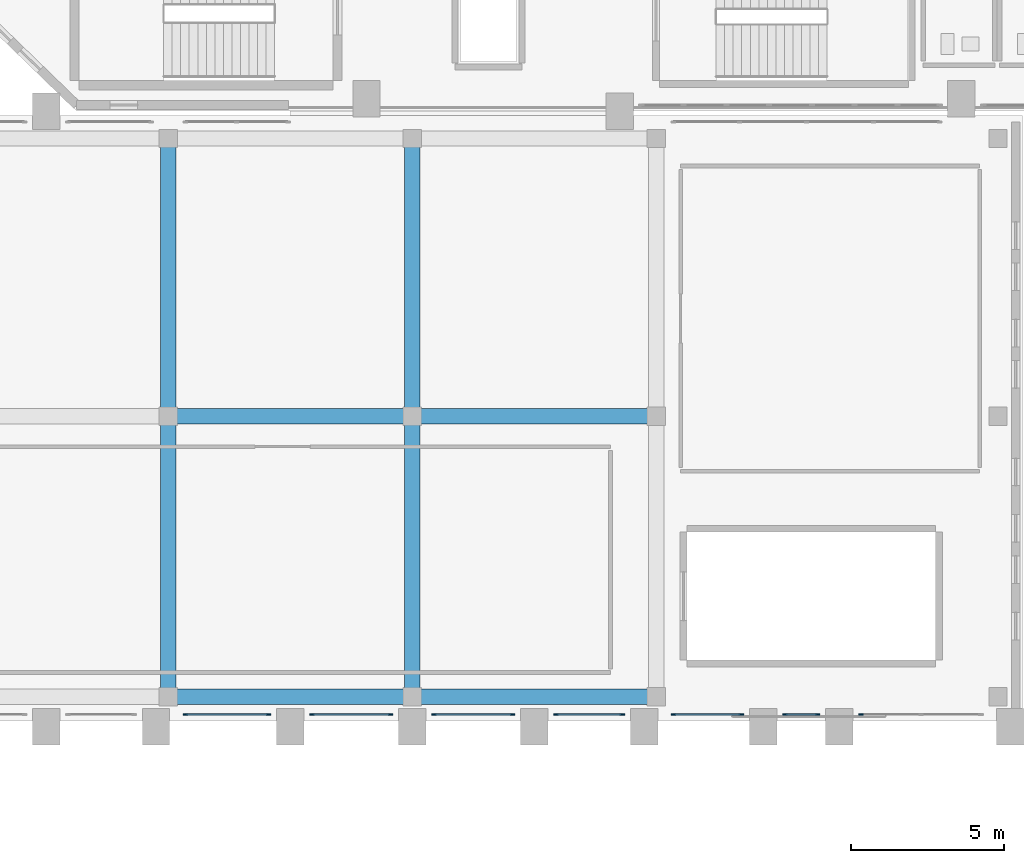
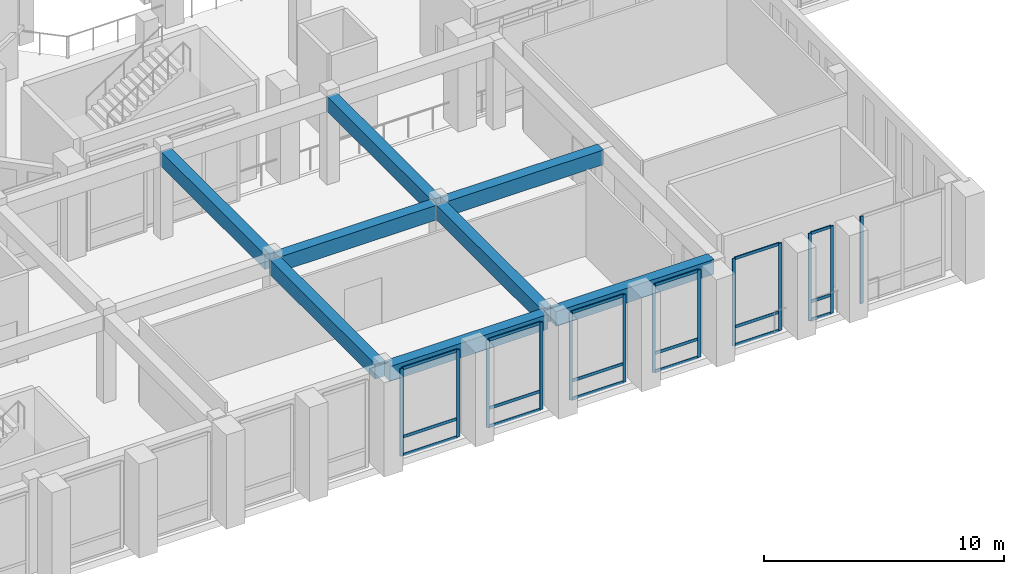
# One storey, part 18 of 126: 31 members, 8 beams, 7 elements without a shape of their own.
"""IFC4 building model written with IfcOpenShell, lengths in metres."""

from ifc_helpers import new_model, si_unit, derived_unit, direction, frame, origin, origin_2d, place, context, subcontext, project, spatial, rectangle, extrude, material, layer, layer_set, material_profile, profile_set, type_object, element, aggregate, save


model = new_model("IFC4")

# Units and contexts
model_context = context("Model", 3, precision=1e-05, world=origin(), true_north=direction((0.0, 1.0)))
body_context = subcontext(model_context, "Body", "Model", "MODEL_VIEW")
ifc_project = project(units=[si_unit("LENGTHUNIT", "METRE"), si_unit("AREAUNIT", "SQUARE_METRE"), si_unit("VOLUMEUNIT", "CUBIC_METRE"), si_unit("PLANEANGLEUNIT", "RADIAN"), si_unit("MASSUNIT", "GRAM", prefix="KILO"), derived_unit("THERMALTRANSMITTANCEUNIT", [(si_unit("MASSUNIT", "GRAM", prefix="KILO"), 1), (si_unit("TIMEUNIT", "SECOND"), -3), (si_unit("THERMODYNAMICTEMPERATUREUNIT", "KELVIN"), -1)])], contexts=[model_context])

# Site, building, storey
site_placement = place(None, origin())
site = spatial("IfcSite", under=ifc_project, at=site_placement, CompositionType="ELEMENT")
building_placement = place(site_placement, origin())
building = spatial("IfcBuilding", under=site, at=building_placement, Name="Valcora Ridge Arena", CompositionType="ELEMENT")
storey_placement = place(building_placement, frame((0.0, 0.0, 11.39990234375)))
storey = spatial("IfcBuildingStorey", under=building, at=storey_placement, Name="L02", CompositionType="ELEMENT", Elevation=11.39990234375)

# Beams
ifc_material_1 = material(Name="Concrete C40/50", Category="concrete")
ifc_material_profile_1 = material_profile(ifc_material_1, rectangle(XDim=0.5, YDim=0.75, at=origin_2d()), Name="RC 500x750")
ifc_profile_set_1 = profile_set([ifc_material_profile_1], Name="Concrete C40/50")
beam_type_1 = type_object("IfcBeamType", Name="TY-BEAM-B-RC500-X", PredefinedType="BEAM", material=ifc_profile_set_1)
for number, where, z_axis, x_axis, name in (
    (1, (32.199951171875, 10.0, 4.0751953125), (1.0, 0.0, 0.0), (0.0, 1.0, 0.0), "B-RC500-X BEM-B-RC500-X-0057"),
    (2, (40.199951171875, 10.0, 4.0751953125), (1.0, 0.0, 0.0), (0.0, 1.0, 0.0), "B-RC500-X BEM-B-RC500-X-0058"),
):
    element("IfcBeam", number, at=place(storey_placement, frame(where, z_axis=z_axis, x_axis=x_axis)), inside=storey, type_object=beam_type_1, Name=name, PredefinedType="BEAM", context=body_context, shape_type="SweptSolid", body=[
        extrude(rectangle(XDim=0.5, YDim=0.75, at=origin_2d()), origin(), (0.0, 0.0, 1.0), 7.60009765625),
    ])
ifc_material_profile_2 = material_profile(ifc_material_1, rectangle(XDim=0.5, YDim=0.75, at=origin_2d()), Name="RC 500x750")
ifc_profile_set_2 = profile_set([ifc_material_profile_2], Name="Concrete C40/50")
beam_type_2 = type_object("IfcBeamType", Name="TY-BEAM-B-RC500-Y", PredefinedType="BEAM", material=ifc_profile_set_2)
beam_1_placement = place(storey_placement, frame((32.0, 1.0, 4.0751953125), z_axis=(0.0, 1.0, 0.0), x_axis=(-1.0, 0.0, 0.0)))
element("IfcBeam", 3, at=beam_1_placement, inside=storey, type_object=beam_type_2, Name="B-RC500-Y BEM-B-RC500-Y-0086", PredefinedType="BEAM", context=body_context, shape_type="SweptSolid", body=[
    extrude(rectangle(XDim=0.5, YDim=0.75, at=origin_2d()), origin(), (0.0, 0.0, 1.0), 8.800048828125),
])
beam_2_placement = place(storey_placement, frame((32.0, 10.199951171875, 4.0751953125), z_axis=(0.0, 1.0, 0.0), x_axis=(-1.0, 0.0, 0.0)))
element("IfcBeam", 4, at=beam_2_placement, inside=storey, type_object=beam_type_2, Name="B-RC500-Y BEM-B-RC500-Y-0087", PredefinedType="BEAM", context=body_context, shape_type="SweptSolid", body=[
    extrude(rectangle(XDim=0.5, YDim=0.75, at=origin_2d()), origin(), (0.0, 0.0, 1.0), 8.699951171875),
])
beam_3_placement = place(storey_placement, frame((40.0, 1.0, 4.0751953125), z_axis=(0.0, 1.0, 0.0), x_axis=(-1.0, 0.0, 0.0)))
element("IfcBeam", 5, at=beam_3_placement, inside=storey, type_object=beam_type_2, Name="B-RC500-Y BEM-B-RC500-Y-0088", PredefinedType="BEAM", context=body_context, shape_type="SweptSolid", body=[
    extrude(rectangle(XDim=0.5, YDim=0.75, at=origin_2d()), origin(), (0.0, 0.0, 1.0), 8.800048828125),
])
beam_4_placement = place(storey_placement, frame((40.0, 10.199951171875, 4.0751953125), z_axis=(0.0, 1.0, 0.0), x_axis=(-1.0, 0.0, 0.0)))
element("IfcBeam", 6, at=beam_4_placement, inside=storey, type_object=beam_type_2, Name="B-RC500-Y BEM-B-RC500-Y-0089", PredefinedType="BEAM", context=body_context, shape_type="SweptSolid", body=[
    extrude(rectangle(XDim=0.5, YDim=0.75, at=origin_2d()), origin(), (0.0, 0.0, 1.0), 8.699951171875),
])
ifc_material_profile_3 = material_profile(ifc_material_1, rectangle(XDim=0.5, YDim=0.75, at=origin_2d()), Name="RC 500x750")
ifc_profile_set_3 = profile_set([ifc_material_profile_3], Name="Concrete C40/50")
beam_type_3 = type_object("IfcBeamType", Name="TY-BEAM-EB-RC500", PredefinedType="BEAM", material=ifc_profile_set_3)
for number, where, z_axis, x_axis, name in (
    (7, (32.199951171875, 0.800048828125, 4.0751953125), (1.0, 0.0, 0.0), (0.0, 1.0, 0.0), "EB-RC500 BEM-EB-RC500-0023"),
    (8, (40.199951171875, 0.800048828125, 4.0751953125), (1.0, 0.0, 0.0), (0.0, 1.0, 0.0), "EB-RC500 BEM-EB-RC500-0024"),
):
    element("IfcBeam", number, at=place(storey_placement, frame(where, z_axis=z_axis, x_axis=x_axis)), inside=storey, type_object=beam_type_3, Name=name, PredefinedType="BEAM", context=body_context, shape_type="SweptSolid", body=[
        extrude(rectangle(XDim=0.5, YDim=0.75, at=origin_2d()), origin(), (0.0, 0.0, 1.0), 7.60009765625),
    ])

# Curtain wall, members
ifc_material_2 = material(Name="Anodised dark bronze architectural aluminium 6063-T6", Category="aluminium")
ifc_layer_1 = layer(ifc_material_2, 0.14990234375, Name="Anodised dark bronze architectural aluminium 6063-T6")
ifc_layer_set_1 = layer_set([ifc_layer_1], Name="Anodised dark bronze architectural aluminium 6063-T6")
curtain_wall_type_1 = type_object("IfcCurtainWallType", Name="TY-CURTAINWALL-CW-V4-CLUB-028X44", PredefinedType="NOTDEFINED", material=ifc_layer_set_1)
curtain_wall_1_placement = place(storey_placement, origin())
curtain_wall_1 = element("IfcCurtainWall", 9, at=curtain_wall_1_placement, inside=storey, type_object=curtain_wall_type_1, Name="CW-V4-CLUB-028X44 CW-0242", PredefinedType="NOTDEFINED")
ifc_material_profile_4 = material_profile(ifc_material_2, rectangle(XDim=0.050048828125, YDim=0.14990234375, at=origin_2d()), Name="ALU MULLION 50x150")
ifc_profile_set_4 = profile_set([ifc_material_profile_4], Name="Anodised dark bronze architectural aluminium 6063-T6")
member_type_1 = type_object("IfcMemberType", Name="TY-MEM-CWM-50x150", PredefinedType="MULLION", material=ifc_profile_set_4)
member_1_placement = place(storey_placement, frame((32.56494140625, 0.219970703125, 0.0), z_axis=(0.0, 0.0, 1.0), x_axis=(0.0, 1.0, 0.0)))
member_1 = element("IfcMember", 10, at=member_1_placement, type_object=member_type_1, Name="CW-0242/CWM-50x150/M00", PredefinedType="MULLION", context=body_context, shape_type="SweptSolid", body=[
    extrude(rectangle(XDim=0.050048828125, YDim=0.14990234375, at=origin_2d()), origin(), (0.0, 0.0, 1.0), 4.4501953125),
])
member_2_placement = place(storey_placement, frame((35.284912109375, 0.219970703125, 0.0), z_axis=(0.0, 0.0, 1.0), x_axis=(0.0, 1.0, 0.0)))
member_2 = element("IfcMember", 11, at=member_2_placement, type_object=member_type_1, Name="CW-0242/CWM-50x150/M01", PredefinedType="MULLION", context=body_context, shape_type="SweptSolid", body=[
    extrude(rectangle(XDim=0.050048828125, YDim=0.14990234375, at=origin_2d()), origin(), (0.0, 0.0, 1.0), 4.4501953125),
])

ifc_layer_2 = layer(ifc_material_2, 0.14990234375, Name="Anodised dark bronze architectural aluminium 6063-T6")
ifc_layer_set_2 = layer_set([ifc_layer_2], Name="Anodised dark bronze architectural aluminium 6063-T6")
curtain_wall_type_2 = type_object("IfcCurtainWallType", Name="TY-CURTAINWALL-CW-V4-CLUB-026X44", PredefinedType="NOTDEFINED", material=ifc_layer_set_2)
curtain_wall_2_placement = place(storey_placement, origin())
curtain_wall_2 = element("IfcCurtainWall", 12, at=curtain_wall_2_placement, inside=storey, type_object=curtain_wall_type_2, Name="CW-V4-CLUB-026X44 CW-0243", PredefinedType="NOTDEFINED")
member_3_placement = place(storey_placement, frame((36.715087890625, 0.219970703125, 0.0), z_axis=(0.0, 0.0, 1.0), x_axis=(0.0, 1.0, 0.0)))
member_3 = element("IfcMember", 13, at=member_3_placement, type_object=member_type_1, Name="CW-0243/CWM-50x150/M00", PredefinedType="MULLION", context=body_context, shape_type="SweptSolid", body=[
    extrude(rectangle(XDim=0.050048828125, YDim=0.14990234375, at=origin_2d()), origin(), (0.0, 0.0, 1.0), 4.4501953125),
])
member_4_placement = place(storey_placement, frame((39.284912109375, 0.219970703125, 0.0), z_axis=(0.0, 0.0, 1.0), x_axis=(0.0, 1.0, 0.0)))
member_4 = element("IfcMember", 14, at=member_4_placement, type_object=member_type_1, Name="CW-0243/CWM-50x150/M01", PredefinedType="MULLION", context=body_context, shape_type="SweptSolid", body=[
    extrude(rectangle(XDim=0.050048828125, YDim=0.14990234375, at=origin_2d()), origin(), (0.0, 0.0, 1.0), 4.4501953125),
])

curtain_wall_3_placement = place(storey_placement, origin())
curtain_wall_3 = element("IfcCurtainWall", 15, at=curtain_wall_3_placement, inside=storey, type_object=curtain_wall_type_2, Name="CW-V4-CLUB-026X44 CW-0244", PredefinedType="NOTDEFINED")
member_5_placement = place(storey_placement, frame((40.715087890625, 0.219970703125, 0.0), z_axis=(0.0, 0.0, 1.0), x_axis=(0.0, 1.0, 0.0)))
member_5 = element("IfcMember", 16, at=member_5_placement, type_object=member_type_1, Name="CW-0244/CWM-50x150/M00", PredefinedType="MULLION", context=body_context, shape_type="SweptSolid", body=[
    extrude(rectangle(XDim=0.050048828125, YDim=0.14990234375, at=origin_2d()), origin(), (0.0, 0.0, 1.0), 4.4501953125),
])
member_6_placement = place(storey_placement, frame((43.284912109375, 0.219970703125, 0.0), z_axis=(0.0, 0.0, 1.0), x_axis=(0.0, 1.0, 0.0)))
member_6 = element("IfcMember", 17, at=member_6_placement, type_object=member_type_1, Name="CW-0244/CWM-50x150/M01", PredefinedType="MULLION", context=body_context, shape_type="SweptSolid", body=[
    extrude(rectangle(XDim=0.050048828125, YDim=0.14990234375, at=origin_2d()), origin(), (0.0, 0.0, 1.0), 4.4501953125),
])

ifc_layer_3 = layer(ifc_material_2, 0.14990234375, Name="Anodised dark bronze architectural aluminium 6063-T6")
ifc_layer_set_3 = layer_set([ifc_layer_3], Name="Anodised dark bronze architectural aluminium 6063-T6")
curtain_wall_type_3 = type_object("IfcCurtainWallType", Name="TY-CURTAINWALL-CW-V4-CLUB-022X44", PredefinedType="NOTDEFINED", material=ifc_layer_set_3)
curtain_wall_4_placement = place(storey_placement, origin())
curtain_wall_4 = element("IfcCurtainWall", 18, at=curtain_wall_4_placement, inside=storey, type_object=curtain_wall_type_3, Name="CW-V4-CLUB-022X44 CW-0245", PredefinedType="NOTDEFINED")
member_7_placement = place(storey_placement, frame((44.715087890625, 0.219970703125, 0.0), z_axis=(0.0, 0.0, 1.0), x_axis=(0.0, 1.0, 0.0)))
member_7 = element("IfcMember", 19, at=member_7_placement, type_object=member_type_1, Name="CW-0245/CWM-50x150/M00", PredefinedType="MULLION", context=body_context, shape_type="SweptSolid", body=[
    extrude(rectangle(XDim=0.050048828125, YDim=0.14990234375, at=origin_2d()), origin(), (0.0, 0.0, 1.0), 4.4501953125),
])
member_8_placement = place(storey_placement, frame((46.885009765625, 0.219970703125, 0.0), z_axis=(0.0, 0.0, 1.0), x_axis=(0.0, 1.0, 0.0)))
member_8 = element("IfcMember", 20, at=member_8_placement, type_object=member_type_1, Name="CW-0245/CWM-50x150/M01", PredefinedType="MULLION", context=body_context, shape_type="SweptSolid", body=[
    extrude(rectangle(XDim=0.050048828125, YDim=0.14990234375, at=origin_2d()), origin(), (0.0, 0.0, 1.0), 4.4501953125),
])

ifc_layer_4 = layer(ifc_material_2, 0.14990234375, Name="Anodised dark bronze architectural aluminium 6063-T6")
ifc_layer_set_4 = layer_set([ifc_layer_4], Name="Anodised dark bronze architectural aluminium 6063-T6")
curtain_wall_type_4 = type_object("IfcCurtainWallType", Name="TY-CURTAINWALL-CW-V4-CLUB-023X44", PredefinedType="NOTDEFINED", material=ifc_layer_set_4)
curtain_wall_5_placement = place(storey_placement, origin())
curtain_wall_5 = element("IfcCurtainWall", 21, at=curtain_wall_5_placement, inside=storey, type_object=curtain_wall_type_4, Name="CW-V4-CLUB-023X44 CW-0246", PredefinedType="NOTDEFINED")
member_9_placement = place(storey_placement, frame((48.56494140625, 0.219970703125, 0.0), z_axis=(0.0, 0.0, 1.0), x_axis=(0.0, 1.0, 0.0)))
member_9 = element("IfcMember", 22, at=member_9_placement, type_object=member_type_1, Name="CW-0246/CWM-50x150/M00", PredefinedType="MULLION", context=body_context, shape_type="SweptSolid", body=[
    extrude(rectangle(XDim=0.050048828125, YDim=0.14990234375, at=origin_2d()), origin(), (0.0, 0.0, 1.0), 4.4501953125),
])
member_10_placement = place(storey_placement, frame((50.784912109375, 0.219970703125, 0.0), z_axis=(0.0, 0.0, 1.0), x_axis=(0.0, 1.0, 0.0)))
member_10 = element("IfcMember", 23, at=member_10_placement, type_object=member_type_1, Name="CW-0246/CWM-50x150/M01", PredefinedType="MULLION", context=body_context, shape_type="SweptSolid", body=[
    extrude(rectangle(XDim=0.050048828125, YDim=0.14990234375, at=origin_2d()), origin(), (0.0, 0.0, 1.0), 4.4501953125),
])

ifc_layer_5 = layer(ifc_material_2, 0.14990234375, Name="Anodised dark bronze architectural aluminium 6063-T6")
ifc_layer_set_5 = layer_set([ifc_layer_5], Name="Anodised dark bronze architectural aluminium 6063-T6")
curtain_wall_type_5 = type_object("IfcCurtainWallType", Name="TY-CURTAINWALL-CW-V4-CLUB-011X44", PredefinedType="NOTDEFINED", material=ifc_layer_set_5)
curtain_wall_6_placement = place(storey_placement, origin())
curtain_wall_6 = element("IfcCurtainWall", 24, at=curtain_wall_6_placement, inside=storey, type_object=curtain_wall_type_5, Name="CW-V4-CLUB-011X44 CW-0247", PredefinedType="NOTDEFINED")
member_11_placement = place(storey_placement, frame((52.215087890625, 0.219970703125, 0.0), z_axis=(0.0, 0.0, 1.0), x_axis=(0.0, 1.0, 0.0)))
member_11 = element("IfcMember", 25, at=member_11_placement, type_object=member_type_1, Name="CW-0247/CWM-50x150/M00", PredefinedType="MULLION", context=body_context, shape_type="SweptSolid", body=[
    extrude(rectangle(XDim=0.050048828125, YDim=0.14990234375, at=origin_2d()), origin(), (0.0, 0.0, 1.0), 4.4501953125),
])
member_12_placement = place(storey_placement, frame((53.284912109375, 0.219970703125, 0.0), z_axis=(0.0, 0.0, 1.0), x_axis=(0.0, 1.0, 0.0)))
member_12 = element("IfcMember", 26, at=member_12_placement, type_object=member_type_1, Name="CW-0247/CWM-50x150/M01", PredefinedType="MULLION", context=body_context, shape_type="SweptSolid", body=[
    extrude(rectangle(XDim=0.050048828125, YDim=0.14990234375, at=origin_2d()), origin(), (0.0, 0.0, 1.0), 4.4501953125),
])

# Curtain wall, member
ifc_layer_6 = layer(ifc_material_2, 0.14990234375, Name="Anodised dark bronze architectural aluminium 6063-T6")
ifc_layer_set_6 = layer_set([ifc_layer_6], Name="Anodised dark bronze architectural aluminium 6063-T6")
curtain_wall_type_6 = type_object("IfcCurtainWallType", Name="TY-CURTAINWALL-CW-V4-CLUB-040X44", PredefinedType="NOTDEFINED", material=ifc_layer_set_6)
curtain_wall_7_placement = place(storey_placement, origin())
curtain_wall_7 = element("IfcCurtainWall", 27, at=curtain_wall_7_placement, inside=storey, type_object=curtain_wall_type_6, Name="CW-V4-CLUB-040X44 CW-0248", PredefinedType="NOTDEFINED")
member_13_placement = place(storey_placement, frame((54.715087890625, 0.219970703125, 0.0), z_axis=(0.0, 0.0, 1.0), x_axis=(0.0, 1.0, 0.0)))
member_13 = element("IfcMember", 28, at=member_13_placement, type_object=member_type_1, Name="CW-0248/CWM-50x150/M00", PredefinedType="MULLION", context=body_context, shape_type="SweptSolid", body=[
    extrude(rectangle(XDim=0.050048828125, YDim=0.14990234375, at=origin_2d()), origin(), (0.0, 0.0, 1.0), 4.4501953125),
])
aggregate(curtain_wall_7, [member_13])

# Member
ifc_material_profile_5 = material_profile(ifc_material_2, rectangle(XDim=0.050048828125, YDim=0.14990234375, at=origin_2d()), Name="ALU TRANSOM 50x150")
ifc_profile_set_5 = profile_set([ifc_material_profile_5], Name="Anodised dark bronze architectural aluminium 6063-T6")
member_type_2 = type_object("IfcMemberType", Name="TY-MEM-CWT-50x150", PredefinedType="USERDEFINED", material=ifc_profile_set_5)
member_14_placement = place(storey_placement, frame((32.590087890625, 0.219970703125, 0.025146484375), z_axis=(1.0, 0.0, 0.0), x_axis=(0.0, 1.0, 0.0)))
member_14 = element("IfcMember", 29, at=member_14_placement, type_object=member_type_2, Name="CW-0242/CWT-50x150/T00-00", ObjectType="TRANSOM", PredefinedType="USERDEFINED", context=body_context, shape_type="SweptSolid", body=[
    extrude(rectangle(XDim=0.050048828125, YDim=0.14990234375, at=origin_2d()), origin(), (0.0, 0.0, 1.0), 2.669921875),
])

member_15_placement = place(storey_placement, frame((32.590087890625, 0.219970703125, 0.9501953125), z_axis=(1.0, 0.0, 0.0), x_axis=(0.0, 1.0, 0.0)))
member_15 = element("IfcMember", 30, at=member_15_placement, type_object=member_type_2, Name="CW-0242/CWT-50x150/T00-01", ObjectType="TRANSOM", PredefinedType="USERDEFINED", context=body_context, shape_type="SweptSolid", body=[
    extrude(rectangle(XDim=0.050048828125, YDim=0.14990234375, at=origin_2d()), origin(), (0.0, 0.0, 1.0), 2.669921875),
])

member_16_placement = place(storey_placement, frame((32.590087890625, 0.219970703125, 4.425048828125), z_axis=(1.0, 0.0, 0.0), x_axis=(0.0, 1.0, 0.0)))
member_16 = element("IfcMember", 31, at=member_16_placement, type_object=member_type_2, Name="CW-0242/CWT-50x150/T00-02", ObjectType="TRANSOM", PredefinedType="USERDEFINED", context=body_context, shape_type="SweptSolid", body=[
    extrude(rectangle(XDim=0.050048828125, YDim=0.14990234375, at=origin_2d()), origin(), (0.0, 0.0, 1.0), 2.669921875),
])

aggregate(curtain_wall_1, [member_1, member_2, member_14, member_15, member_16])

member_17_placement = place(storey_placement, frame((36.739990234375, 0.219970703125, 0.025146484375), z_axis=(1.0, 0.0, 0.0), x_axis=(0.0, 1.0, 0.0)))
member_17 = element("IfcMember", 32, at=member_17_placement, type_object=member_type_2, Name="CW-0243/CWT-50x150/T00-00", ObjectType="TRANSOM", PredefinedType="USERDEFINED", context=body_context, shape_type="SweptSolid", body=[
    extrude(rectangle(XDim=0.050048828125, YDim=0.14990234375, at=origin_2d()), origin(), (0.0, 0.0, 1.0), 2.52001953125),
])

member_18_placement = place(storey_placement, frame((36.739990234375, 0.219970703125, 0.9501953125), z_axis=(1.0, 0.0, 0.0), x_axis=(0.0, 1.0, 0.0)))
member_18 = element("IfcMember", 33, at=member_18_placement, type_object=member_type_2, Name="CW-0243/CWT-50x150/T00-01", ObjectType="TRANSOM", PredefinedType="USERDEFINED", context=body_context, shape_type="SweptSolid", body=[
    extrude(rectangle(XDim=0.050048828125, YDim=0.14990234375, at=origin_2d()), origin(), (0.0, 0.0, 1.0), 2.52001953125),
])

member_19_placement = place(storey_placement, frame((36.739990234375, 0.219970703125, 4.425048828125), z_axis=(1.0, 0.0, 0.0), x_axis=(0.0, 1.0, 0.0)))
member_19 = element("IfcMember", 34, at=member_19_placement, type_object=member_type_2, Name="CW-0243/CWT-50x150/T00-02", ObjectType="TRANSOM", PredefinedType="USERDEFINED", context=body_context, shape_type="SweptSolid", body=[
    extrude(rectangle(XDim=0.050048828125, YDim=0.14990234375, at=origin_2d()), origin(), (0.0, 0.0, 1.0), 2.52001953125),
])

aggregate(curtain_wall_2, [member_3, member_4, member_17, member_18, member_19])

member_20_placement = place(storey_placement, frame((40.739990234375, 0.219970703125, 0.025146484375), z_axis=(1.0, 0.0, 0.0), x_axis=(0.0, 1.0, 0.0)))
member_20 = element("IfcMember", 35, at=member_20_placement, type_object=member_type_2, Name="CW-0244/CWT-50x150/T00-00", ObjectType="TRANSOM", PredefinedType="USERDEFINED", context=body_context, shape_type="SweptSolid", body=[
    extrude(rectangle(XDim=0.050048828125, YDim=0.14990234375, at=origin_2d()), origin(), (0.0, 0.0, 1.0), 2.52001953125),
])

member_21_placement = place(storey_placement, frame((40.739990234375, 0.219970703125, 0.9501953125), z_axis=(1.0, 0.0, 0.0), x_axis=(0.0, 1.0, 0.0)))
member_21 = element("IfcMember", 36, at=member_21_placement, type_object=member_type_2, Name="CW-0244/CWT-50x150/T00-01", ObjectType="TRANSOM", PredefinedType="USERDEFINED", context=body_context, shape_type="SweptSolid", body=[
    extrude(rectangle(XDim=0.050048828125, YDim=0.14990234375, at=origin_2d()), origin(), (0.0, 0.0, 1.0), 2.52001953125),
])

member_22_placement = place(storey_placement, frame((40.739990234375, 0.219970703125, 4.425048828125), z_axis=(1.0, 0.0, 0.0), x_axis=(0.0, 1.0, 0.0)))
member_22 = element("IfcMember", 37, at=member_22_placement, type_object=member_type_2, Name="CW-0244/CWT-50x150/T00-02", ObjectType="TRANSOM", PredefinedType="USERDEFINED", context=body_context, shape_type="SweptSolid", body=[
    extrude(rectangle(XDim=0.050048828125, YDim=0.14990234375, at=origin_2d()), origin(), (0.0, 0.0, 1.0), 2.52001953125),
])

aggregate(curtain_wall_3, [member_5, member_6, member_20, member_21, member_22])

member_23_placement = place(storey_placement, frame((44.739990234375, 0.219970703125, 0.025146484375), z_axis=(1.0, 0.0, 0.0), x_axis=(0.0, 1.0, 0.0)))
member_23 = element("IfcMember", 38, at=member_23_placement, type_object=member_type_2, Name="CW-0245/CWT-50x150/T00-00", ObjectType="TRANSOM", PredefinedType="USERDEFINED", context=body_context, shape_type="SweptSolid", body=[
    extrude(rectangle(XDim=0.050048828125, YDim=0.14990234375, at=origin_2d()), origin(), (0.0, 0.0, 1.0), 2.1201171875),
])

member_24_placement = place(storey_placement, frame((44.739990234375, 0.219970703125, 0.9501953125), z_axis=(1.0, 0.0, 0.0), x_axis=(0.0, 1.0, 0.0)))
member_24 = element("IfcMember", 39, at=member_24_placement, type_object=member_type_2, Name="CW-0245/CWT-50x150/T00-01", ObjectType="TRANSOM", PredefinedType="USERDEFINED", context=body_context, shape_type="SweptSolid", body=[
    extrude(rectangle(XDim=0.050048828125, YDim=0.14990234375, at=origin_2d()), origin(), (0.0, 0.0, 1.0), 2.1201171875),
])

member_25_placement = place(storey_placement, frame((44.739990234375, 0.219970703125, 4.425048828125), z_axis=(1.0, 0.0, 0.0), x_axis=(0.0, 1.0, 0.0)))
member_25 = element("IfcMember", 40, at=member_25_placement, type_object=member_type_2, Name="CW-0245/CWT-50x150/T00-02", ObjectType="TRANSOM", PredefinedType="USERDEFINED", context=body_context, shape_type="SweptSolid", body=[
    extrude(rectangle(XDim=0.050048828125, YDim=0.14990234375, at=origin_2d()), origin(), (0.0, 0.0, 1.0), 2.1201171875),
])

aggregate(curtain_wall_4, [member_7, member_8, member_23, member_24, member_25])

member_26_placement = place(storey_placement, frame((48.590087890625, 0.219970703125, 0.025146484375), z_axis=(1.0, 0.0, 0.0), x_axis=(0.0, 1.0, 0.0)))
member_26 = element("IfcMember", 41, at=member_26_placement, type_object=member_type_2, Name="CW-0246/CWT-50x150/T00-00", ObjectType="TRANSOM", PredefinedType="USERDEFINED", context=body_context, shape_type="SweptSolid", body=[
    extrude(rectangle(XDim=0.050048828125, YDim=0.14990234375, at=origin_2d()), origin(), (0.0, 0.0, 1.0), 2.169921875),
])

member_27_placement = place(storey_placement, frame((48.590087890625, 0.219970703125, 0.9501953125), z_axis=(1.0, 0.0, 0.0), x_axis=(0.0, 1.0, 0.0)))
member_27 = element("IfcMember", 42, at=member_27_placement, type_object=member_type_2, Name="CW-0246/CWT-50x150/T00-01", ObjectType="TRANSOM", PredefinedType="USERDEFINED", context=body_context, shape_type="SweptSolid", body=[
    extrude(rectangle(XDim=0.050048828125, YDim=0.14990234375, at=origin_2d()), origin(), (0.0, 0.0, 1.0), 2.169921875),
])

member_28_placement = place(storey_placement, frame((48.590087890625, 0.219970703125, 4.425048828125), z_axis=(1.0, 0.0, 0.0), x_axis=(0.0, 1.0, 0.0)))
member_28 = element("IfcMember", 43, at=member_28_placement, type_object=member_type_2, Name="CW-0246/CWT-50x150/T00-02", ObjectType="TRANSOM", PredefinedType="USERDEFINED", context=body_context, shape_type="SweptSolid", body=[
    extrude(rectangle(XDim=0.050048828125, YDim=0.14990234375, at=origin_2d()), origin(), (0.0, 0.0, 1.0), 2.169921875),
])

aggregate(curtain_wall_5, [member_9, member_10, member_26, member_27, member_28])

member_29_placement = place(storey_placement, frame((52.239990234375, 0.219970703125, 0.025146484375), z_axis=(1.0, 0.0, 0.0), x_axis=(0.0, 1.0, 0.0)))
member_29 = element("IfcMember", 44, at=member_29_placement, type_object=member_type_2, Name="CW-0247/CWT-50x150/T00-00", ObjectType="TRANSOM", PredefinedType="USERDEFINED", context=body_context, shape_type="SweptSolid", body=[
    extrude(rectangle(XDim=0.050048828125, YDim=0.14990234375, at=origin_2d()), origin(), (0.0, 0.0, 1.0), 1.02001953125),
])

member_30_placement = place(storey_placement, frame((52.239990234375, 0.219970703125, 0.9501953125), z_axis=(1.0, 0.0, 0.0), x_axis=(0.0, 1.0, 0.0)))
member_30 = element("IfcMember", 45, at=member_30_placement, type_object=member_type_2, Name="CW-0247/CWT-50x150/T00-01", ObjectType="TRANSOM", PredefinedType="USERDEFINED", context=body_context, shape_type="SweptSolid", body=[
    extrude(rectangle(XDim=0.050048828125, YDim=0.14990234375, at=origin_2d()), origin(), (0.0, 0.0, 1.0), 1.02001953125),
])

member_31_placement = place(storey_placement, frame((52.239990234375, 0.219970703125, 4.425048828125), z_axis=(1.0, 0.0, 0.0), x_axis=(0.0, 1.0, 0.0)))
member_31 = element("IfcMember", 46, at=member_31_placement, type_object=member_type_2, Name="CW-0247/CWT-50x150/T00-02", ObjectType="TRANSOM", PredefinedType="USERDEFINED", context=body_context, shape_type="SweptSolid", body=[
    extrude(rectangle(XDim=0.050048828125, YDim=0.14990234375, at=origin_2d()), origin(), (0.0, 0.0, 1.0), 1.02001953125),
])

aggregate(curtain_wall_6, [member_11, member_12, member_29, member_30, member_31])

save(model, "model.ifc")
